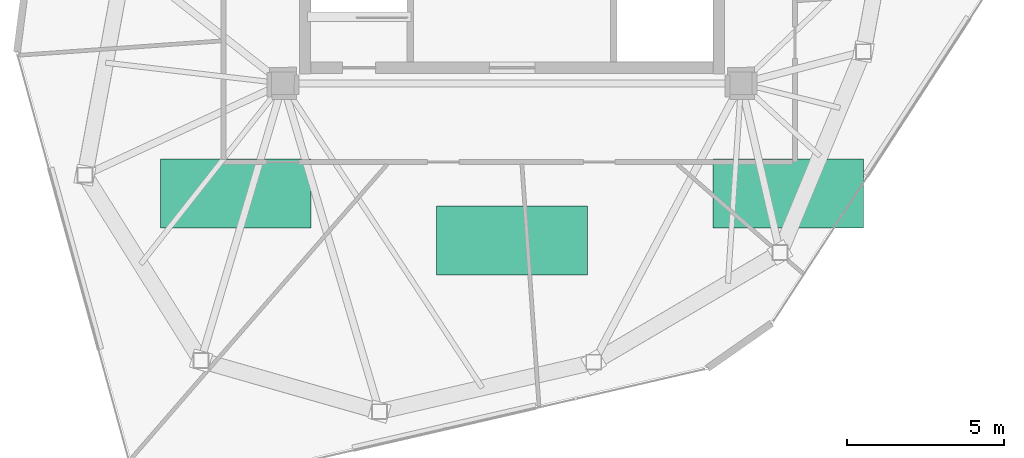
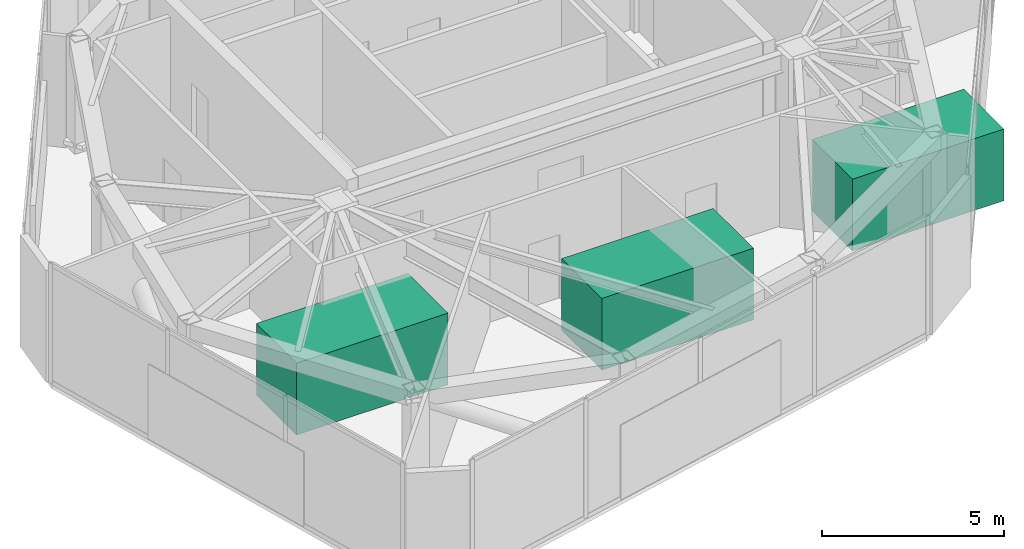
# One storey, part 20 of 20: 3 electric generators.
"""IFC4 building model written with IfcOpenShell, lengths in metres."""

from ifc_helpers import new_model, si_unit, direction, frame, origin, origin_2d, place, context, subcontext, project, spatial, rectangle, extrude, source, transform, mapped, material, type_object, type_shapes, element, save


model = new_model("IFC4")

# Units and contexts
model_context = context("Model", 3, precision=1e-05, world=origin(), true_north=direction((0.0, 1.0)))
body_context = subcontext(model_context, "Body", "Model", "MODEL_VIEW")
ifc_project = project(units=[si_unit("LENGTHUNIT", "METRE"), si_unit("AREAUNIT", "SQUARE_METRE"), si_unit("VOLUMEUNIT", "CUBIC_METRE"), si_unit("PLANEANGLEUNIT", "RADIAN"), si_unit("MASSUNIT", "GRAM", prefix="KILO")], contexts=[model_context])

# Site, building, storey
site_placement = place(None, origin())
site = spatial("IfcSite", under=ifc_project, at=site_placement, CompositionType="ELEMENT")
building_placement = place(site_placement, origin())
building = spatial("IfcBuilding", under=site, at=building_placement, Name="Talar Marvaseh", CompositionType="ELEMENT")
storey_placement = place(building_placement, frame((0.0, 0.0, 312.0)))
storey = spatial("IfcBuildingStorey", under=building, at=storey_placement, Name="L83", CompositionType="ELEMENT", Elevation=312.0)

# Electric generators
ifc_material = material(Name="Architectural Aluminium", Category="aluminium")
electric_generator_type = type_object("IfcElectricGeneratorType", Name="Rooftop Centrifugal Chiller and Cooling Plant Skid", PredefinedType="STANDALONE", material=ifc_material)
shared_shape = source(origin(), body_context, "Body", "SweptSolid", [
    extrude(rectangle(XDim=4.800048828125, YDim=2.199951171875, at=origin_2d()), origin(), (0.0, 0.0, 1.0), 2.39990234375),
])
type_shapes(electric_generator_type, [shared_shape])
for number, where, z_axis, x_axis, name in (
    (1, (17.199951171875, 22.0, 0.0), (0.0, 0.0, 1.0), (1.0, 0.0, 0.0), "L83 Crown Mechanical Plant Chiller Skid 1"),
    (2, (34.800048828125, 22.0, 0.0), (0.0, 0.0, 1.0), (1.0, 0.0, 0.0), "L83 Crown Mechanical Plant Chiller Skid 2"),
    (3, (26.0, 20.5, 0.0), (0.0, 0.0, 1.0), (1.0, 0.0, 0.0), "L83 Crown Mechanical Plant Chiller Skid 3"),
):
    element("IfcElectricGenerator", number, at=place(storey_placement, frame(where, z_axis=z_axis, x_axis=x_axis)), inside=storey, type_object=electric_generator_type, Name=name, PredefinedType="STANDALONE", context=body_context, shape_type="MappedRepresentation", body=[
        mapped(shared_shape, transform((0.0, 0.0, 0.0), x_axis=(1.0, 0.0, 0.0), y_axis=(0.0, 1.0, 0.0), z_axis=(0.0, 0.0, 1.0), scale=1.0)),
    ])

save(model, "model.ifc")
